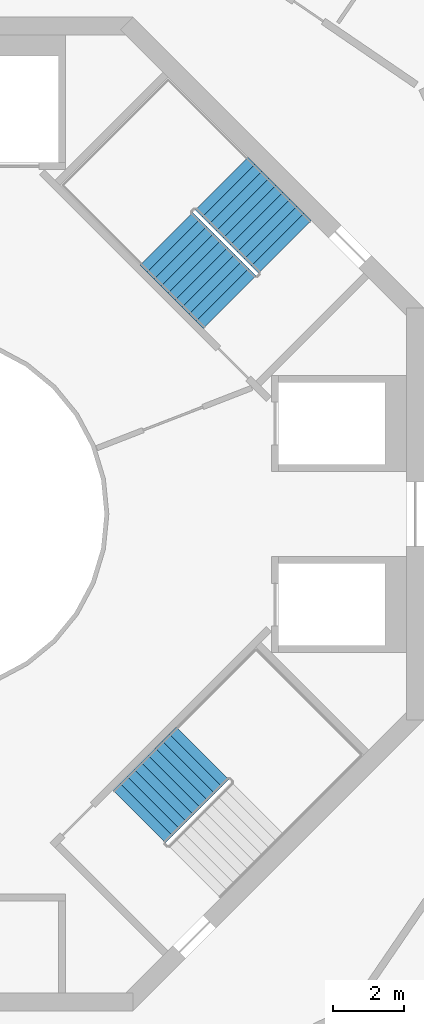
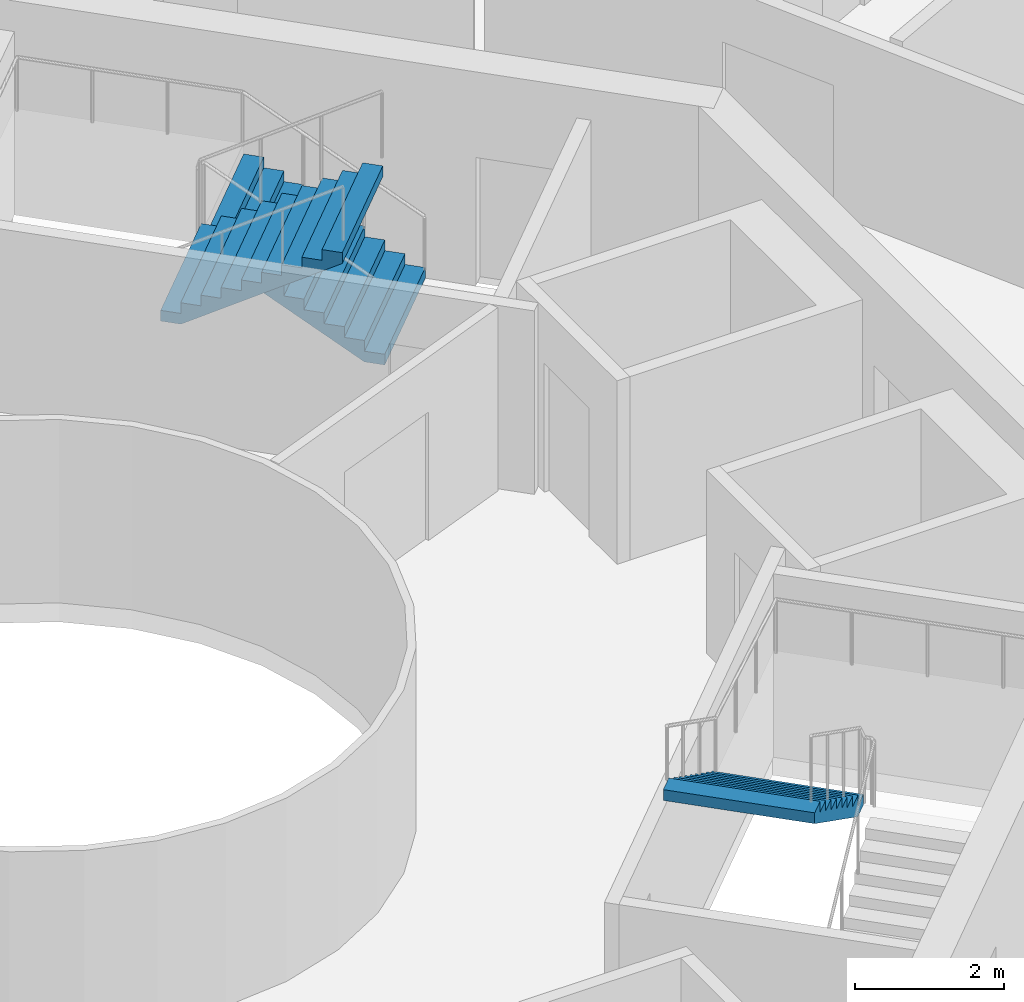
# One storey, part 22 of 23: 3 stair flights, 2 elements without a shape of their own.
"""IFC4 building model written with IfcOpenShell, lengths in metres."""

from ifc_helpers import new_model, si_unit, direction, frame, origin, place, context, subcontext, project, spatial, triangles, material, type_object, element, aggregate, save


model = new_model("IFC4")

# Units and contexts
model_context = context("Model", 3, precision=1e-05, world=origin(), true_north=direction((0.0, 1.0)))
body_context = subcontext(model_context, "Body", "Model", "MODEL_VIEW")
ifc_project = project(units=[si_unit("LENGTHUNIT", "METRE"), si_unit("AREAUNIT", "SQUARE_METRE"), si_unit("VOLUMEUNIT", "CUBIC_METRE"), si_unit("PLANEANGLEUNIT", "RADIAN"), si_unit("MASSUNIT", "GRAM", prefix="KILO")], contexts=[model_context])

# Site, building, storey
site_placement = place(None, origin())
site = spatial("IfcSite", under=ifc_project, at=site_placement, CompositionType="ELEMENT")
building_placement = place(site_placement, origin())
building = spatial("IfcBuilding", under=site, at=building_placement, Name="Verdalira Terraces Hotel", CompositionType="ELEMENT")
storey_placement = place(building_placement, frame((0.0, 0.0, 259.5)))
storey = spatial("IfcBuildingStorey", under=building, at=storey_placement, Name="L64", CompositionType="ELEMENT", Elevation=259.5)

# Stair, stair flights
ifc_material_1 = material(Name="Concrete C40", Category="concrete")
stair_type = type_object("IfcStairType", Name="Core stair 20 risers 2100 mm wide", PredefinedType="HALF_TURN_STAIR", material=ifc_material_1)
stair_1_placement = place(storey_placement, origin())
stair_1 = element("IfcStair", 1, at=stair_1_placement, inside=storey, type_object=stair_type, Name="L64 Exit stair ST1", PredefinedType="HALF_TURN_STAIR")
ifc_material_2 = material(Name="Concrete C40", Category="concrete")
stair_flight_type = type_object("IfcStairFlightType", Name="Core stair flight 20 risers 2100 mm wide", PredefinedType="STRAIGHT", material=ifc_material_2)
stair_flight_1_placement = place(storey_placement, frame((10.076172, 7.530762, 0.0), z_axis=(0.0, 0.0, 1.0), x_axis=(-0.707106781, 0.707106781, 0.0)))
stair_flight_1 = element("IfcStairFlight", 2, at=stair_flight_1_placement, type_object=stair_flight_type, Name="ST1 flight 1", NumberOfRisers=10, NumberOfTreads=9, PredefinedType="STRAIGHT", RiserHeight=0.175, TreadLength=0.28, context=body_context, shape_type="Tessellation", body=[
    triangles([(0.0, 1.050049, 0.0), (0.282715, 1.050049, 0.0), (2.52002, 1.050049, 1.398193), (0.0, -1.050049, 0.0), (0.282715, -1.050049, 0.0), (2.52002, -1.050049, 1.398193), (2.52002, 1.050049, 1.574951), (2.23999, 1.050049, 1.574951), (2.52002, -1.050049, 1.574951), (2.23999, -1.050049, 1.574951), (2.23999, 1.050049, 1.399902), (2.23999, -1.050049, 1.399902), (1.959961, 1.050049, 1.399902), (1.959961, -1.050049, 1.399902), (1.959961, 1.050049, 1.225098), (1.959961, -1.050049, 1.225098), (1.679932, 1.050049, 1.225098), (1.679932, 1.050049, 1.050049), (1.679932, -1.050049, 1.225098), (1.679932, -1.050049, 1.050049), (1.399902, 1.050049, 1.050049), (1.399902, 1.050049, 0.875), (1.399902, -1.050049, 1.050049), (1.399902, -1.050049, 0.875), (1.120117, 1.050049, 0.875), (1.120117, 1.050049, 0.699951), (1.120117, -1.050049, 0.875), (1.120117, -1.050049, 0.699951), (0.840088, 1.050049, 0.699951), (0.840088, 1.050049, 0.524902), (0.840088, -1.050049, 0.699951), (0.840088, -1.050049, 0.524902), (0.560059, 1.050049, 0.524902), (0.560059, 1.050049, 0.350098), (0.560059, -1.050049, 0.524902), (0.560059, -1.050049, 0.350098), (0.280029, 1.050049, 0.350098), (0.280029, 1.050049, 0.175049), (0.280029, -1.050049, 0.350098), (0.280029, -1.050049, 0.175049), (0.0, 1.050049, 0.175049), (0.0, -1.050049, 0.175049), (0.0, -0.984421, 0.0), (0.0, -0.984421, 0.175049), (0.0, -0.918793, 0.0), (0.0, -0.918793, 0.175049), (0.0, -0.853165, 0.0), (0.0, -0.853165, 0.175049), (0.0, -0.787537, 0.0), (0.0, -0.787537, 0.175049), (0.0, -0.721909, 0.0), (0.0, -0.721909, 0.175049), (0.0, -0.656281, 0.0), (0.0, -0.656281, 0.175049), (0.0, -0.590652, 0.0), (0.0, -0.590652, 0.175049), (0.0, -0.525024, 0.0), (0.0, -0.525024, 0.175049), (0.0, -0.459396, 0.0), (0.0, -0.459396, 0.175049), (0.0, -0.393768, 0.0), (0.0, -0.393768, 0.175049), (0.0, -0.32814, 0.0), (0.0, -0.32814, 0.175049), (0.0, -0.262512, 0.0), (0.0, -0.262512, 0.175049), (0.0, -0.196884, 0.0), (0.0, -0.196884, 0.175049), (0.0, -0.131256, 0.0), (0.0, -0.131256, 0.175049), (0.0, -0.065628, 0.0), (0.0, -0.065628, 0.175049), (0.0, 0.0, 0.0), (0.0, 0.0, 0.175049), (0.0, 0.065628, 0.0), (0.0, 0.065628, 0.175049), (0.0, 0.131256, 0.0), (0.0, 0.131256, 0.175049), (0.0, 0.196884, 0.0), (0.0, 0.196884, 0.175049), (0.0, 0.262512, 0.0), (0.0, 0.262512, 0.175049), (0.0, 0.32814, 0.0), (0.0, 0.32814, 0.175049), (0.0, 0.393768, 0.0), (0.0, 0.393768, 0.175049), (0.0, 0.459396, 0.0), (0.0, 0.459396, 0.175049), (0.0, 0.525024, 0.0), (0.0, 0.525024, 0.175049), (0.0, 0.590652, 0.0), (0.0, 0.590652, 0.175049), (0.0, 0.656281, 0.0), (0.0, 0.656281, 0.175049), (0.0, 0.721909, 0.0), (0.0, 0.721909, 0.175049), (0.0, 0.787537, 0.0), (0.0, 0.787537, 0.175049), (0.0, 0.853165, 0.0), (0.0, 0.853165, 0.175049), (0.0, 0.918793, 0.0), (0.0, 0.918793, 0.175049), (0.0, 0.984421, 0.0), (0.0, 0.984421, 0.175049), (2.52002, -0.984421, 1.574951), (2.52002, -0.918793, 1.574951), (2.52002, -0.853165, 1.574951), (2.52002, -0.787537, 1.574951), (2.52002, -0.721909, 1.574951), (2.52002, -0.656281, 1.574951), (2.52002, -0.590652, 1.574951), (2.52002, -0.525024, 1.574951), (2.52002, -0.459396, 1.574951), (2.52002, -0.393768, 1.574951), (2.52002, -0.32814, 1.574951), (2.52002, -0.262512, 1.574951), (2.52002, -0.196884, 1.574951), (2.52002, -0.131256, 1.574951), (2.52002, -0.065628, 1.574951), (2.52002, 0.0, 1.574951), (2.52002, 0.065628, 1.574951), (2.52002, 0.131256, 1.574951), (2.52002, 0.196884, 1.574951), (2.52002, 0.262512, 1.574951), (2.52002, 0.32814, 1.574951), (2.52002, 0.393768, 1.574951), (2.52002, 0.459396, 1.574951), (2.52002, 0.525024, 1.574951), (2.52002, 0.590652, 1.574951), (2.52002, 0.656281, 1.574951), (2.52002, 0.721909, 1.574951), (2.52002, 0.787537, 1.574951), (2.52002, 0.853165, 1.574951), (2.52002, 0.918793, 1.574951), (2.52002, 0.984421, 1.574951), (2.52002, -0.984421, 1.398193), (2.52002, -0.918793, 1.398193), (2.52002, -0.853165, 1.398193), (2.52002, -0.787537, 1.398193), (2.52002, -0.721909, 1.398193), (2.52002, -0.656281, 1.398193), (2.52002, -0.590652, 1.398193), (2.52002, -0.525024, 1.398193), (2.52002, -0.459396, 1.398193), (2.52002, -0.393768, 1.398193), (2.52002, -0.32814, 1.398193), (2.52002, -0.262512, 1.398193), (2.52002, -0.196884, 1.398193), (2.52002, -0.131256, 1.398193), (2.52002, -0.065628, 1.398193), (2.52002, 0.0, 1.398193), (2.52002, 0.065628, 1.398193), (2.52002, 0.131256, 1.398193), (2.52002, 0.196884, 1.398193), (2.52002, 0.262512, 1.398193), (2.52002, 0.32814, 1.398193), (2.52002, 0.393768, 1.398193), (2.52002, 0.459396, 1.398193), (2.52002, 0.525024, 1.398193), (2.52002, 0.590652, 1.398193), (2.52002, 0.656281, 1.398193), (2.52002, 0.721909, 1.398193), (2.52002, 0.787537, 1.398193), (2.52002, 0.853165, 1.398193), (2.52002, 0.918793, 1.398193), (2.52002, 0.984421, 1.398193)], [[1, 3, 2], [4, 5, 6], [3, 8, 7], [6, 9, 10], [3, 11, 8], [6, 10, 12], [3, 13, 11], [6, 12, 14], [3, 15, 13], [6, 14, 16], [15, 18, 17], [16, 19, 20], [3, 18, 15], [6, 16, 20], [18, 22, 21], [20, 23, 24], [3, 22, 18], [6, 20, 24], [22, 26, 25], [24, 27, 28], [3, 26, 22], [6, 24, 28], [26, 30, 29], [28, 31, 32], [3, 30, 26], [6, 28, 32], [1, 30, 3], [4, 6, 32], [30, 34, 33], [32, 35, 36], [34, 38, 37], [36, 39, 40], [30, 38, 34], [32, 36, 40], [1, 38, 30], [4, 32, 40], [38, 1, 41], [40, 42, 4], [4, 44, 43], [4, 42, 44], [43, 46, 45], [43, 44, 46], [45, 48, 47], [45, 46, 48], [47, 50, 49], [47, 48, 50], [49, 52, 51], [49, 50, 52], [51, 54, 53], [51, 52, 54], [53, 56, 55], [53, 54, 56], [55, 58, 57], [55, 56, 58], [57, 60, 59], [57, 58, 60], [59, 62, 61], [59, 60, 62], [61, 64, 63], [61, 62, 64], [63, 66, 65], [63, 64, 66], [65, 68, 67], [65, 66, 68], [67, 70, 69], [67, 68, 70], [69, 72, 71], [69, 70, 72], [71, 74, 73], [71, 72, 74], [73, 76, 75], [73, 74, 76], [75, 78, 77], [75, 76, 78], [77, 80, 79], [77, 78, 80], [79, 82, 81], [79, 80, 82], [81, 84, 83], [81, 82, 84], [83, 86, 85], [83, 84, 86], [85, 88, 87], [85, 86, 88], [87, 90, 89], [87, 88, 90], [89, 92, 91], [89, 90, 92], [91, 94, 93], [91, 92, 94], [93, 96, 95], [93, 94, 96], [95, 98, 97], [95, 96, 98], [97, 100, 99], [97, 98, 100], [99, 102, 101], [99, 100, 102], [101, 104, 103], [101, 102, 104], [103, 41, 1], [103, 104, 41], [42, 40, 44], [44, 40, 46], [46, 40, 48], [48, 40, 50], [50, 40, 52], [52, 40, 54], [54, 40, 56], [56, 40, 58], [58, 40, 60], [60, 40, 62], [62, 40, 64], [64, 40, 66], [66, 40, 68], [68, 40, 70], [70, 40, 72], [72, 40, 74], [74, 40, 76], [76, 40, 78], [78, 40, 80], [80, 40, 82], [82, 40, 84], [84, 40, 86], [86, 40, 88], [88, 40, 90], [90, 40, 92], [92, 40, 94], [94, 40, 96], [96, 40, 98], [98, 40, 100], [100, 40, 102], [102, 40, 104], [104, 40, 41], [41, 40, 38], [40, 37, 38], [40, 39, 37], [39, 34, 37], [39, 36, 34], [36, 33, 34], [36, 35, 33], [35, 30, 33], [35, 32, 30], [32, 29, 30], [32, 31, 29], [31, 26, 29], [31, 28, 26], [28, 25, 26], [28, 27, 25], [27, 22, 25], [27, 24, 22], [24, 21, 22], [24, 23, 21], [23, 18, 21], [23, 20, 18], [20, 17, 18], [20, 19, 17], [19, 15, 17], [19, 16, 15], [16, 13, 15], [16, 14, 13], [14, 11, 13], [14, 12, 11], [12, 8, 11], [12, 10, 8], [9, 105, 10], [105, 106, 10], [106, 107, 10], [107, 108, 10], [108, 109, 10], [109, 110, 10], [110, 111, 10], [111, 112, 10], [112, 113, 10], [113, 114, 10], [114, 115, 10], [115, 116, 10], [116, 117, 10], [117, 118, 10], [118, 119, 10], [119, 120, 10], [120, 121, 10], [121, 122, 10], [122, 123, 10], [123, 124, 10], [124, 125, 10], [125, 126, 10], [126, 127, 10], [127, 128, 10], [128, 129, 10], [129, 130, 10], [130, 131, 10], [131, 132, 10], [132, 133, 10], [133, 134, 10], [134, 135, 10], [135, 7, 10], [7, 8, 10], [9, 136, 105], [9, 6, 136], [105, 137, 106], [105, 136, 137], [106, 138, 107], [106, 137, 138], [107, 139, 108], [107, 138, 139], [108, 140, 109], [108, 139, 140], [109, 141, 110], [109, 140, 141], [110, 142, 111], [110, 141, 142], [111, 143, 112], [111, 142, 143], [112, 144, 113], [112, 143, 144], [113, 145, 114], [113, 144, 145], [114, 146, 115], [114, 145, 146], [115, 147, 116], [115, 146, 147], [116, 148, 117], [116, 147, 148], [117, 149, 118], [117, 148, 149], [118, 150, 119], [118, 149, 150], [119, 151, 120], [119, 150, 151], [120, 152, 121], [120, 151, 152], [121, 153, 122], [121, 152, 153], [122, 154, 123], [122, 153, 154], [123, 155, 124], [123, 154, 155], [124, 156, 125], [124, 155, 156], [125, 157, 126], [125, 156, 157], [126, 158, 127], [126, 157, 158], [127, 159, 128], [127, 158, 159], [128, 160, 129], [128, 159, 160], [129, 161, 130], [129, 160, 161], [130, 162, 131], [130, 161, 162], [131, 163, 132], [131, 162, 163], [132, 164, 133], [132, 163, 164], [133, 165, 134], [133, 164, 165], [134, 166, 135], [134, 165, 166], [135, 3, 7], [135, 166, 3], [6, 5, 136], [136, 5, 137], [137, 5, 138], [138, 5, 139], [139, 5, 140], [140, 5, 141], [141, 5, 142], [142, 5, 143], [143, 5, 144], [144, 5, 145], [145, 5, 146], [146, 5, 147], [147, 5, 148], [148, 5, 149], [149, 5, 150], [150, 5, 151], [151, 5, 152], [152, 5, 153], [153, 5, 154], [154, 5, 155], [155, 5, 156], [156, 5, 157], [157, 5, 158], [158, 5, 159], [159, 5, 160], [160, 5, 161], [161, 5, 162], [162, 5, 163], [163, 5, 164], [164, 5, 165], [165, 5, 166], [166, 5, 3], [3, 5, 2], [4, 43, 5], [43, 45, 5], [45, 47, 5], [47, 49, 5], [49, 51, 5], [51, 53, 5], [53, 55, 5], [55, 57, 5], [57, 59, 5], [59, 61, 5], [61, 63, 5], [63, 65, 5], [65, 67, 5], [67, 69, 5], [69, 71, 5], [71, 73, 5], [73, 75, 5], [75, 77, 5], [77, 79, 5], [79, 81, 5], [81, 83, 5], [83, 85, 5], [85, 87, 5], [87, 89, 5], [89, 91, 5], [91, 93, 5], [93, 95, 5], [95, 97, 5], [97, 99, 5], [99, 101, 5], [101, 103, 5], [103, 1, 5], [1, 2, 5]], closed=True),
])
stair_flight_2_placement = place(storey_placement, frame((6.73877, 7.75708, 1.75), z_axis=(0.0, 0.0, 1.0), x_axis=(0.707106781, -0.707106781, 0.0)))
stair_flight_2 = element("IfcStairFlight", 3, at=stair_flight_2_placement, type_object=stair_flight_type, Name="ST1 flight 2", NumberOfRisers=10, NumberOfTreads=9, PredefinedType="STRAIGHT", RiserHeight=0.175, TreadLength=0.28, context=body_context, shape_type="Tessellation", body=[
    triangles([(0.0, 1.050049, 0.0), (0.282715, 1.050049, 0.0), (2.52002, 1.050049, 1.398193), (0.0, -1.050049, 0.0), (0.282715, -1.050049, 0.0), (2.52002, -1.050049, 1.398193), (2.52002, 1.050049, 1.574951), (2.23999, 1.050049, 1.574951), (2.52002, -1.050049, 1.574951), (2.23999, -1.050049, 1.574951), (2.23999, 1.050049, 1.399902), (2.23999, -1.050049, 1.399902), (1.959961, 1.050049, 1.399902), (1.959961, -1.050049, 1.399902), (1.959961, 1.050049, 1.225098), (1.959961, -1.050049, 1.225098), (1.679932, 1.050049, 1.225098), (1.679932, 1.050049, 1.050049), (1.679932, -1.050049, 1.225098), (1.679932, -1.050049, 1.050049), (1.399902, 1.050049, 1.050049), (1.399902, 1.050049, 0.875), (1.399902, -1.050049, 1.050049), (1.399902, -1.050049, 0.875), (1.120117, 1.050049, 0.875), (1.120117, 1.050049, 0.699951), (1.120117, -1.050049, 0.875), (1.120117, -1.050049, 0.699951), (0.840088, 1.050049, 0.699951), (0.840088, 1.050049, 0.524902), (0.840088, -1.050049, 0.699951), (0.840088, -1.050049, 0.524902), (0.560059, 1.050049, 0.524902), (0.560059, 1.050049, 0.350098), (0.560059, -1.050049, 0.524902), (0.560059, -1.050049, 0.350098), (0.280029, 1.050049, 0.350098), (0.280029, 1.050049, 0.175049), (0.280029, -1.050049, 0.350098), (0.280029, -1.050049, 0.175049), (0.0, 1.050049, 0.175049), (0.0, -1.050049, 0.175049), (0.0, -0.984421, 0.0), (0.0, -0.984421, 0.175049), (0.0, -0.918793, 0.0), (0.0, -0.918793, 0.175049), (0.0, -0.853165, 0.0), (0.0, -0.853165, 0.175049), (0.0, -0.787537, 0.0), (0.0, -0.787537, 0.175049), (0.0, -0.721909, 0.0), (0.0, -0.721909, 0.175049), (0.0, -0.656281, 0.0), (0.0, -0.656281, 0.175049), (0.0, -0.590652, 0.0), (0.0, -0.590652, 0.175049), (0.0, -0.525024, 0.0), (0.0, -0.525024, 0.175049), (0.0, -0.459396, 0.0), (0.0, -0.459396, 0.175049), (0.0, -0.393768, 0.0), (0.0, -0.393768, 0.175049), (0.0, -0.32814, 0.0), (0.0, -0.32814, 0.175049), (0.0, -0.262512, 0.0), (0.0, -0.262512, 0.175049), (0.0, -0.196884, 0.0), (0.0, -0.196884, 0.175049), (0.0, -0.131256, 0.0), (0.0, -0.131256, 0.175049), (0.0, -0.065628, 0.0), (0.0, -0.065628, 0.175049), (0.0, 0.0, 0.0), (0.0, 0.0, 0.175049), (0.0, 0.065628, 0.0), (0.0, 0.065628, 0.175049), (0.0, 0.131256, 0.0), (0.0, 0.131256, 0.175049), (0.0, 0.196884, 0.0), (0.0, 0.196884, 0.175049), (0.0, 0.262512, 0.0), (0.0, 0.262512, 0.175049), (0.0, 0.32814, 0.0), (0.0, 0.32814, 0.175049), (0.0, 0.393768, 0.0), (0.0, 0.393768, 0.175049), (0.0, 0.459396, 0.0), (0.0, 0.459396, 0.175049), (0.0, 0.525024, 0.0), (0.0, 0.525024, 0.175049), (0.0, 0.590652, 0.0), (0.0, 0.590652, 0.175049), (0.0, 0.656281, 0.0), (0.0, 0.656281, 0.175049), (0.0, 0.721909, 0.0), (0.0, 0.721909, 0.175049), (0.0, 0.787537, 0.0), (0.0, 0.787537, 0.175049), (0.0, 0.853165, 0.0), (0.0, 0.853165, 0.175049), (0.0, 0.918793, 0.0), (0.0, 0.918793, 0.175049), (0.0, 0.984421, 0.0), (0.0, 0.984421, 0.175049), (2.52002, -0.984421, 1.574951), (2.52002, -0.918793, 1.574951), (2.52002, -0.853165, 1.574951), (2.52002, -0.787537, 1.574951), (2.52002, -0.721909, 1.574951), (2.52002, -0.656281, 1.574951), (2.52002, -0.590652, 1.574951), (2.52002, -0.525024, 1.574951), (2.52002, -0.459396, 1.574951), (2.52002, -0.393768, 1.574951), (2.52002, -0.32814, 1.574951), (2.52002, -0.262512, 1.574951), (2.52002, -0.196884, 1.574951), (2.52002, -0.131256, 1.574951), (2.52002, -0.065628, 1.574951), (2.52002, 0.0, 1.574951), (2.52002, 0.065628, 1.574951), (2.52002, 0.131256, 1.574951), (2.52002, 0.196884, 1.574951), (2.52002, 0.262512, 1.574951), (2.52002, 0.32814, 1.574951), (2.52002, 0.393768, 1.574951), (2.52002, 0.459396, 1.574951), (2.52002, 0.525024, 1.574951), (2.52002, 0.590652, 1.574951), (2.52002, 0.656281, 1.574951), (2.52002, 0.721909, 1.574951), (2.52002, 0.787537, 1.574951), (2.52002, 0.853165, 1.574951), (2.52002, 0.918793, 1.574951), (2.52002, 0.984421, 1.574951), (2.52002, -0.984421, 1.398193), (2.52002, -0.918793, 1.398193), (2.52002, -0.853165, 1.398193), (2.52002, -0.787537, 1.398193), (2.52002, -0.721909, 1.398193), (2.52002, -0.656281, 1.398193), (2.52002, -0.590652, 1.398193), (2.52002, -0.525024, 1.398193), (2.52002, -0.459396, 1.398193), (2.52002, -0.393768, 1.398193), (2.52002, -0.32814, 1.398193), (2.52002, -0.262512, 1.398193), (2.52002, -0.196884, 1.398193), (2.52002, -0.131256, 1.398193), (2.52002, -0.065628, 1.398193), (2.52002, 0.0, 1.398193), (2.52002, 0.065628, 1.398193), (2.52002, 0.131256, 1.398193), (2.52002, 0.196884, 1.398193), (2.52002, 0.262512, 1.398193), (2.52002, 0.32814, 1.398193), (2.52002, 0.393768, 1.398193), (2.52002, 0.459396, 1.398193), (2.52002, 0.525024, 1.398193), (2.52002, 0.590652, 1.398193), (2.52002, 0.656281, 1.398193), (2.52002, 0.721909, 1.398193), (2.52002, 0.787537, 1.398193), (2.52002, 0.853165, 1.398193), (2.52002, 0.918793, 1.398193), (2.52002, 0.984421, 1.398193)], [[1, 3, 2], [4, 5, 6], [3, 8, 7], [6, 9, 10], [3, 11, 8], [6, 10, 12], [3, 13, 11], [6, 12, 14], [3, 15, 13], [6, 14, 16], [15, 18, 17], [16, 19, 20], [3, 18, 15], [6, 16, 20], [18, 22, 21], [20, 23, 24], [3, 22, 18], [6, 20, 24], [22, 26, 25], [24, 27, 28], [3, 26, 22], [6, 24, 28], [26, 30, 29], [28, 31, 32], [3, 30, 26], [6, 28, 32], [1, 30, 3], [4, 6, 32], [30, 34, 33], [32, 35, 36], [34, 38, 37], [36, 39, 40], [30, 38, 34], [32, 36, 40], [1, 38, 30], [4, 32, 40], [38, 1, 41], [40, 42, 4], [4, 44, 43], [4, 42, 44], [43, 46, 45], [43, 44, 46], [45, 48, 47], [45, 46, 48], [47, 50, 49], [47, 48, 50], [49, 52, 51], [49, 50, 52], [51, 54, 53], [51, 52, 54], [53, 56, 55], [53, 54, 56], [55, 58, 57], [55, 56, 58], [57, 60, 59], [57, 58, 60], [59, 62, 61], [59, 60, 62], [61, 64, 63], [61, 62, 64], [63, 66, 65], [63, 64, 66], [65, 68, 67], [65, 66, 68], [67, 70, 69], [67, 68, 70], [69, 72, 71], [69, 70, 72], [71, 74, 73], [71, 72, 74], [73, 76, 75], [73, 74, 76], [75, 78, 77], [75, 76, 78], [77, 80, 79], [77, 78, 80], [79, 82, 81], [79, 80, 82], [81, 84, 83], [81, 82, 84], [83, 86, 85], [83, 84, 86], [85, 88, 87], [85, 86, 88], [87, 90, 89], [87, 88, 90], [89, 92, 91], [89, 90, 92], [91, 94, 93], [91, 92, 94], [93, 96, 95], [93, 94, 96], [95, 98, 97], [95, 96, 98], [97, 100, 99], [97, 98, 100], [99, 102, 101], [99, 100, 102], [101, 104, 103], [101, 102, 104], [103, 41, 1], [103, 104, 41], [42, 40, 44], [44, 40, 46], [46, 40, 48], [48, 40, 50], [50, 40, 52], [52, 40, 54], [54, 40, 56], [56, 40, 58], [58, 40, 60], [60, 40, 62], [62, 40, 64], [64, 40, 66], [66, 40, 68], [68, 40, 70], [70, 40, 72], [72, 40, 74], [74, 40, 76], [76, 40, 78], [78, 40, 80], [80, 40, 82], [82, 40, 84], [84, 40, 86], [86, 40, 88], [88, 40, 90], [90, 40, 92], [92, 40, 94], [94, 40, 96], [96, 40, 98], [98, 40, 100], [100, 40, 102], [102, 40, 104], [104, 40, 41], [41, 40, 38], [40, 37, 38], [40, 39, 37], [39, 34, 37], [39, 36, 34], [36, 33, 34], [36, 35, 33], [35, 30, 33], [35, 32, 30], [32, 29, 30], [32, 31, 29], [31, 26, 29], [31, 28, 26], [28, 25, 26], [28, 27, 25], [27, 22, 25], [27, 24, 22], [24, 21, 22], [24, 23, 21], [23, 18, 21], [23, 20, 18], [20, 17, 18], [20, 19, 17], [19, 15, 17], [19, 16, 15], [16, 13, 15], [16, 14, 13], [14, 11, 13], [14, 12, 11], [12, 8, 11], [12, 10, 8], [9, 105, 10], [105, 106, 10], [106, 107, 10], [107, 108, 10], [108, 109, 10], [109, 110, 10], [110, 111, 10], [111, 112, 10], [112, 113, 10], [113, 114, 10], [114, 115, 10], [115, 116, 10], [116, 117, 10], [117, 118, 10], [118, 119, 10], [119, 120, 10], [120, 121, 10], [121, 122, 10], [122, 123, 10], [123, 124, 10], [124, 125, 10], [125, 126, 10], [126, 127, 10], [127, 128, 10], [128, 129, 10], [129, 130, 10], [130, 131, 10], [131, 132, 10], [132, 133, 10], [133, 134, 10], [134, 135, 10], [135, 7, 10], [7, 8, 10], [9, 136, 105], [9, 6, 136], [105, 137, 106], [105, 136, 137], [106, 138, 107], [106, 137, 138], [107, 139, 108], [107, 138, 139], [108, 140, 109], [108, 139, 140], [109, 141, 110], [109, 140, 141], [110, 142, 111], [110, 141, 142], [111, 143, 112], [111, 142, 143], [112, 144, 113], [112, 143, 144], [113, 145, 114], [113, 144, 145], [114, 146, 115], [114, 145, 146], [115, 147, 116], [115, 146, 147], [116, 148, 117], [116, 147, 148], [117, 149, 118], [117, 148, 149], [118, 150, 119], [118, 149, 150], [119, 151, 120], [119, 150, 151], [120, 152, 121], [120, 151, 152], [121, 153, 122], [121, 152, 153], [122, 154, 123], [122, 153, 154], [123, 155, 124], [123, 154, 155], [124, 156, 125], [124, 155, 156], [125, 157, 126], [125, 156, 157], [126, 158, 127], [126, 157, 158], [127, 159, 128], [127, 158, 159], [128, 160, 129], [128, 159, 160], [129, 161, 130], [129, 160, 161], [130, 162, 131], [130, 161, 162], [131, 163, 132], [131, 162, 163], [132, 164, 133], [132, 163, 164], [133, 165, 134], [133, 164, 165], [134, 166, 135], [134, 165, 166], [135, 3, 7], [135, 166, 3], [6, 5, 136], [136, 5, 137], [137, 5, 138], [138, 5, 139], [139, 5, 140], [140, 5, 141], [141, 5, 142], [142, 5, 143], [143, 5, 144], [144, 5, 145], [145, 5, 146], [146, 5, 147], [147, 5, 148], [148, 5, 149], [149, 5, 150], [150, 5, 151], [151, 5, 152], [152, 5, 153], [153, 5, 154], [154, 5, 155], [155, 5, 156], [156, 5, 157], [157, 5, 158], [158, 5, 159], [159, 5, 160], [160, 5, 161], [161, 5, 162], [162, 5, 163], [163, 5, 164], [164, 5, 165], [165, 5, 166], [166, 5, 3], [3, 5, 2], [4, 43, 5], [43, 45, 5], [45, 47, 5], [47, 49, 5], [49, 51, 5], [51, 53, 5], [53, 55, 5], [55, 57, 5], [57, 59, 5], [59, 61, 5], [61, 63, 5], [63, 65, 5], [65, 67, 5], [67, 69, 5], [69, 71, 5], [71, 73, 5], [73, 75, 5], [75, 77, 5], [77, 79, 5], [79, 81, 5], [81, 83, 5], [83, 85, 5], [85, 87, 5], [87, 89, 5], [89, 91, 5], [91, 93, 5], [93, 95, 5], [95, 97, 5], [97, 99, 5], [99, 101, 5], [101, 103, 5], [103, 1, 5], [1, 2, 5]], closed=True),
])
aggregate(stair_1, [stair_flight_1, stair_flight_2])

# Stair, stair flight
stair_2_placement = place(storey_placement, origin())
stair_2 = element("IfcStair", 4, at=stair_2_placement, inside=storey, type_object=stair_type, Name="L64 Exit stair ST3", PredefinedType="HALF_TURN_STAIR")
stair_flight_3_placement = place(storey_placement, frame((7.75708, -6.73877, 1.75), z_axis=(0.0, 0.0, 1.0), x_axis=(-0.707106781, -0.707106781, 0.0)))
stair_flight_3 = element("IfcStairFlight", 5, at=stair_flight_3_placement, type_object=stair_flight_type, Name="ST3 flight 2", NumberOfRisers=10, NumberOfTreads=9, PredefinedType="STRAIGHT", RiserHeight=0.175, TreadLength=0.28, context=body_context, shape_type="Tessellation", body=[
    triangles([(0.0, 1.050049, 0.0), (0.282715, 1.050049, 0.0), (2.52002, 1.050049, 1.398193), (0.0, -1.050049, 0.0), (0.282715, -1.050049, 0.0), (2.52002, -1.050049, 1.398193), (2.52002, 1.050049, 1.574951), (2.23999, 1.050049, 1.574951), (2.52002, -1.050049, 1.574951), (2.23999, -1.050049, 1.574951), (2.23999, 1.050049, 1.399902), (2.23999, -1.050049, 1.399902), (1.959961, 1.050049, 1.399902), (1.959961, -1.050049, 1.399902), (1.959961, 1.050049, 1.225098), (1.959961, -1.050049, 1.225098), (1.679932, 1.050049, 1.225098), (1.679932, 1.050049, 1.050049), (1.679932, -1.050049, 1.225098), (1.679932, -1.050049, 1.050049), (1.399902, 1.050049, 1.050049), (1.399902, 1.050049, 0.875), (1.399902, -1.050049, 1.050049), (1.399902, -1.050049, 0.875), (1.120117, 1.050049, 0.875), (1.120117, 1.050049, 0.699951), (1.120117, -1.050049, 0.875), (1.120117, -1.050049, 0.699951), (0.840088, 1.050049, 0.699951), (0.840088, 1.050049, 0.524902), (0.840088, -1.050049, 0.699951), (0.840088, -1.050049, 0.524902), (0.560059, 1.050049, 0.524902), (0.560059, 1.050049, 0.350098), (0.560059, -1.050049, 0.524902), (0.560059, -1.050049, 0.350098), (0.280029, 1.050049, 0.350098), (0.280029, 1.050049, 0.175049), (0.280029, -1.050049, 0.350098), (0.280029, -1.050049, 0.175049), (0.0, 1.050049, 0.175049), (0.0, -1.050049, 0.175049), (0.0, -0.984421, 0.0), (0.0, -0.984421, 0.175049), (0.0, -0.918793, 0.0), (0.0, -0.918793, 0.175049), (0.0, -0.853165, 0.0), (0.0, -0.853165, 0.175049), (0.0, -0.787537, 0.0), (0.0, -0.787537, 0.175049), (0.0, -0.721909, 0.0), (0.0, -0.721909, 0.175049), (0.0, -0.656281, 0.0), (0.0, -0.656281, 0.175049), (0.0, -0.590652, 0.0), (0.0, -0.590652, 0.175049), (0.0, -0.525024, 0.0), (0.0, -0.525024, 0.175049), (0.0, -0.459396, 0.0), (0.0, -0.459396, 0.175049), (0.0, -0.393768, 0.0), (0.0, -0.393768, 0.175049), (0.0, -0.32814, 0.0), (0.0, -0.32814, 0.175049), (0.0, -0.262512, 0.0), (0.0, -0.262512, 0.175049), (0.0, -0.196884, 0.0), (0.0, -0.196884, 0.175049), (0.0, -0.131256, 0.0), (0.0, -0.131256, 0.175049), (0.0, -0.065628, 0.0), (0.0, -0.065628, 0.175049), (0.0, 0.0, 0.0), (0.0, 0.0, 0.175049), (0.0, 0.065628, 0.0), (0.0, 0.065628, 0.175049), (0.0, 0.131256, 0.0), (0.0, 0.131256, 0.175049), (0.0, 0.196884, 0.0), (0.0, 0.196884, 0.175049), (0.0, 0.262512, 0.0), (0.0, 0.262512, 0.175049), (0.0, 0.32814, 0.0), (0.0, 0.32814, 0.175049), (0.0, 0.393768, 0.0), (0.0, 0.393768, 0.175049), (0.0, 0.459396, 0.0), (0.0, 0.459396, 0.175049), (0.0, 0.525024, 0.0), (0.0, 0.525024, 0.175049), (0.0, 0.590652, 0.0), (0.0, 0.590652, 0.175049), (0.0, 0.656281, 0.0), (0.0, 0.656281, 0.175049), (0.0, 0.721909, 0.0), (0.0, 0.721909, 0.175049), (0.0, 0.787537, 0.0), (0.0, 0.787537, 0.175049), (0.0, 0.853165, 0.0), (0.0, 0.853165, 0.175049), (0.0, 0.918793, 0.0), (0.0, 0.918793, 0.175049), (0.0, 0.984421, 0.0), (0.0, 0.984421, 0.175049), (2.52002, -0.984421, 1.574951), (2.52002, -0.918793, 1.574951), (2.52002, -0.853165, 1.574951), (2.52002, -0.787537, 1.574951), (2.52002, -0.721909, 1.574951), (2.52002, -0.656281, 1.574951), (2.52002, -0.590652, 1.574951), (2.52002, -0.525024, 1.574951), (2.52002, -0.459396, 1.574951), (2.52002, -0.393768, 1.574951), (2.52002, -0.32814, 1.574951), (2.52002, -0.262512, 1.574951), (2.52002, -0.196884, 1.574951), (2.52002, -0.131256, 1.574951), (2.52002, -0.065628, 1.574951), (2.52002, 0.0, 1.574951), (2.52002, 0.065628, 1.574951), (2.52002, 0.131256, 1.574951), (2.52002, 0.196884, 1.574951), (2.52002, 0.262512, 1.574951), (2.52002, 0.32814, 1.574951), (2.52002, 0.393768, 1.574951), (2.52002, 0.459396, 1.574951), (2.52002, 0.525024, 1.574951), (2.52002, 0.590652, 1.574951), (2.52002, 0.656281, 1.574951), (2.52002, 0.721909, 1.574951), (2.52002, 0.787537, 1.574951), (2.52002, 0.853165, 1.574951), (2.52002, 0.918793, 1.574951), (2.52002, 0.984421, 1.574951), (2.52002, -0.984421, 1.398193), (2.52002, -0.918793, 1.398193), (2.52002, -0.853165, 1.398193), (2.52002, -0.787537, 1.398193), (2.52002, -0.721909, 1.398193), (2.52002, -0.656281, 1.398193), (2.52002, -0.590652, 1.398193), (2.52002, -0.525024, 1.398193), (2.52002, -0.459396, 1.398193), (2.52002, -0.393768, 1.398193), (2.52002, -0.32814, 1.398193), (2.52002, -0.262512, 1.398193), (2.52002, -0.196884, 1.398193), (2.52002, -0.131256, 1.398193), (2.52002, -0.065628, 1.398193), (2.52002, 0.0, 1.398193), (2.52002, 0.065628, 1.398193), (2.52002, 0.131256, 1.398193), (2.52002, 0.196884, 1.398193), (2.52002, 0.262512, 1.398193), (2.52002, 0.32814, 1.398193), (2.52002, 0.393768, 1.398193), (2.52002, 0.459396, 1.398193), (2.52002, 0.525024, 1.398193), (2.52002, 0.590652, 1.398193), (2.52002, 0.656281, 1.398193), (2.52002, 0.721909, 1.398193), (2.52002, 0.787537, 1.398193), (2.52002, 0.853165, 1.398193), (2.52002, 0.918793, 1.398193), (2.52002, 0.984421, 1.398193)], [[1, 3, 2], [4, 5, 6], [3, 8, 7], [6, 9, 10], [3, 11, 8], [6, 10, 12], [3, 13, 11], [6, 12, 14], [3, 15, 13], [6, 14, 16], [15, 18, 17], [16, 19, 20], [3, 18, 15], [6, 16, 20], [18, 22, 21], [20, 23, 24], [3, 22, 18], [6, 20, 24], [22, 26, 25], [24, 27, 28], [3, 26, 22], [6, 24, 28], [26, 30, 29], [28, 31, 32], [3, 30, 26], [6, 28, 32], [1, 30, 3], [4, 6, 32], [30, 34, 33], [32, 35, 36], [34, 38, 37], [36, 39, 40], [30, 38, 34], [32, 36, 40], [1, 38, 30], [4, 32, 40], [38, 1, 41], [40, 42, 4], [4, 44, 43], [4, 42, 44], [43, 46, 45], [43, 44, 46], [45, 48, 47], [45, 46, 48], [47, 50, 49], [47, 48, 50], [49, 52, 51], [49, 50, 52], [51, 54, 53], [51, 52, 54], [53, 56, 55], [53, 54, 56], [55, 58, 57], [55, 56, 58], [57, 60, 59], [57, 58, 60], [59, 62, 61], [59, 60, 62], [61, 64, 63], [61, 62, 64], [63, 66, 65], [63, 64, 66], [65, 68, 67], [65, 66, 68], [67, 70, 69], [67, 68, 70], [69, 72, 71], [69, 70, 72], [71, 74, 73], [71, 72, 74], [73, 76, 75], [73, 74, 76], [75, 78, 77], [75, 76, 78], [77, 80, 79], [77, 78, 80], [79, 82, 81], [79, 80, 82], [81, 84, 83], [81, 82, 84], [83, 86, 85], [83, 84, 86], [85, 88, 87], [85, 86, 88], [87, 90, 89], [87, 88, 90], [89, 92, 91], [89, 90, 92], [91, 94, 93], [91, 92, 94], [93, 96, 95], [93, 94, 96], [95, 98, 97], [95, 96, 98], [97, 100, 99], [97, 98, 100], [99, 102, 101], [99, 100, 102], [101, 104, 103], [101, 102, 104], [103, 41, 1], [103, 104, 41], [42, 40, 44], [44, 40, 46], [46, 40, 48], [48, 40, 50], [50, 40, 52], [52, 40, 54], [54, 40, 56], [56, 40, 58], [58, 40, 60], [60, 40, 62], [62, 40, 64], [64, 40, 66], [66, 40, 68], [68, 40, 70], [70, 40, 72], [72, 40, 74], [74, 40, 76], [76, 40, 78], [78, 40, 80], [80, 40, 82], [82, 40, 84], [84, 40, 86], [86, 40, 88], [88, 40, 90], [90, 40, 92], [92, 40, 94], [94, 40, 96], [96, 40, 98], [98, 40, 100], [100, 40, 102], [102, 40, 104], [104, 40, 41], [41, 40, 38], [40, 37, 38], [40, 39, 37], [39, 34, 37], [39, 36, 34], [36, 33, 34], [36, 35, 33], [35, 30, 33], [35, 32, 30], [32, 29, 30], [32, 31, 29], [31, 26, 29], [31, 28, 26], [28, 25, 26], [28, 27, 25], [27, 22, 25], [27, 24, 22], [24, 21, 22], [24, 23, 21], [23, 18, 21], [23, 20, 18], [20, 17, 18], [20, 19, 17], [19, 15, 17], [19, 16, 15], [16, 13, 15], [16, 14, 13], [14, 11, 13], [14, 12, 11], [12, 8, 11], [12, 10, 8], [9, 105, 10], [105, 106, 10], [106, 107, 10], [107, 108, 10], [108, 109, 10], [109, 110, 10], [110, 111, 10], [111, 112, 10], [112, 113, 10], [113, 114, 10], [114, 115, 10], [115, 116, 10], [116, 117, 10], [117, 118, 10], [118, 119, 10], [119, 120, 10], [120, 121, 10], [121, 122, 10], [122, 123, 10], [123, 124, 10], [124, 125, 10], [125, 126, 10], [126, 127, 10], [127, 128, 10], [128, 129, 10], [129, 130, 10], [130, 131, 10], [131, 132, 10], [132, 133, 10], [133, 134, 10], [134, 135, 10], [135, 7, 10], [7, 8, 10], [9, 136, 105], [9, 6, 136], [105, 137, 106], [105, 136, 137], [106, 138, 107], [106, 137, 138], [107, 139, 108], [107, 138, 139], [108, 140, 109], [108, 139, 140], [109, 141, 110], [109, 140, 141], [110, 142, 111], [110, 141, 142], [111, 143, 112], [111, 142, 143], [112, 144, 113], [112, 143, 144], [113, 145, 114], [113, 144, 145], [114, 146, 115], [114, 145, 146], [115, 147, 116], [115, 146, 147], [116, 148, 117], [116, 147, 148], [117, 149, 118], [117, 148, 149], [118, 150, 119], [118, 149, 150], [119, 151, 120], [119, 150, 151], [120, 152, 121], [120, 151, 152], [121, 153, 122], [121, 152, 153], [122, 154, 123], [122, 153, 154], [123, 155, 124], [123, 154, 155], [124, 156, 125], [124, 155, 156], [125, 157, 126], [125, 156, 157], [126, 158, 127], [126, 157, 158], [127, 159, 128], [127, 158, 159], [128, 160, 129], [128, 159, 160], [129, 161, 130], [129, 160, 161], [130, 162, 131], [130, 161, 162], [131, 163, 132], [131, 162, 163], [132, 164, 133], [132, 163, 164], [133, 165, 134], [133, 164, 165], [134, 166, 135], [134, 165, 166], [135, 3, 7], [135, 166, 3], [6, 5, 136], [136, 5, 137], [137, 5, 138], [138, 5, 139], [139, 5, 140], [140, 5, 141], [141, 5, 142], [142, 5, 143], [143, 5, 144], [144, 5, 145], [145, 5, 146], [146, 5, 147], [147, 5, 148], [148, 5, 149], [149, 5, 150], [150, 5, 151], [151, 5, 152], [152, 5, 153], [153, 5, 154], [154, 5, 155], [155, 5, 156], [156, 5, 157], [157, 5, 158], [158, 5, 159], [159, 5, 160], [160, 5, 161], [161, 5, 162], [162, 5, 163], [163, 5, 164], [164, 5, 165], [165, 5, 166], [166, 5, 3], [3, 5, 2], [4, 43, 5], [43, 45, 5], [45, 47, 5], [47, 49, 5], [49, 51, 5], [51, 53, 5], [53, 55, 5], [55, 57, 5], [57, 59, 5], [59, 61, 5], [61, 63, 5], [63, 65, 5], [65, 67, 5], [67, 69, 5], [69, 71, 5], [71, 73, 5], [73, 75, 5], [75, 77, 5], [77, 79, 5], [79, 81, 5], [81, 83, 5], [83, 85, 5], [85, 87, 5], [87, 89, 5], [89, 91, 5], [91, 93, 5], [93, 95, 5], [95, 97, 5], [97, 99, 5], [99, 101, 5], [101, 103, 5], [103, 1, 5], [1, 2, 5]], closed=True),
])
aggregate(stair_2, [stair_flight_3])

save(model, "model.ifc")
